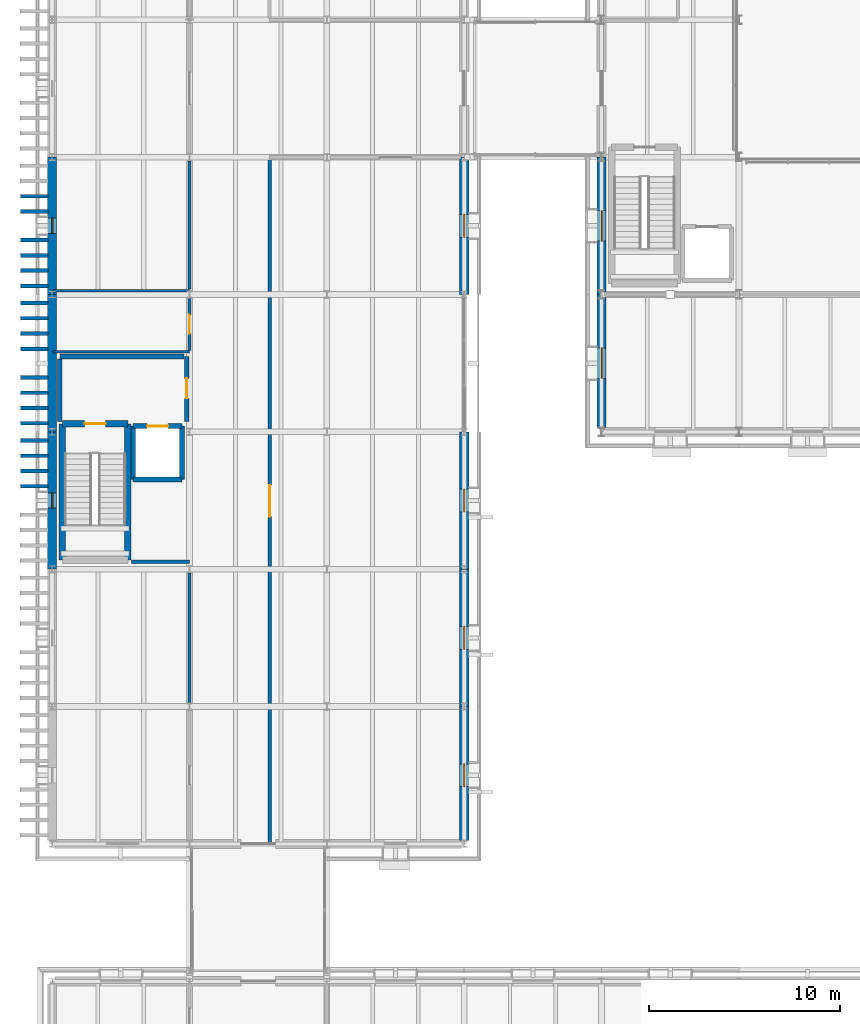
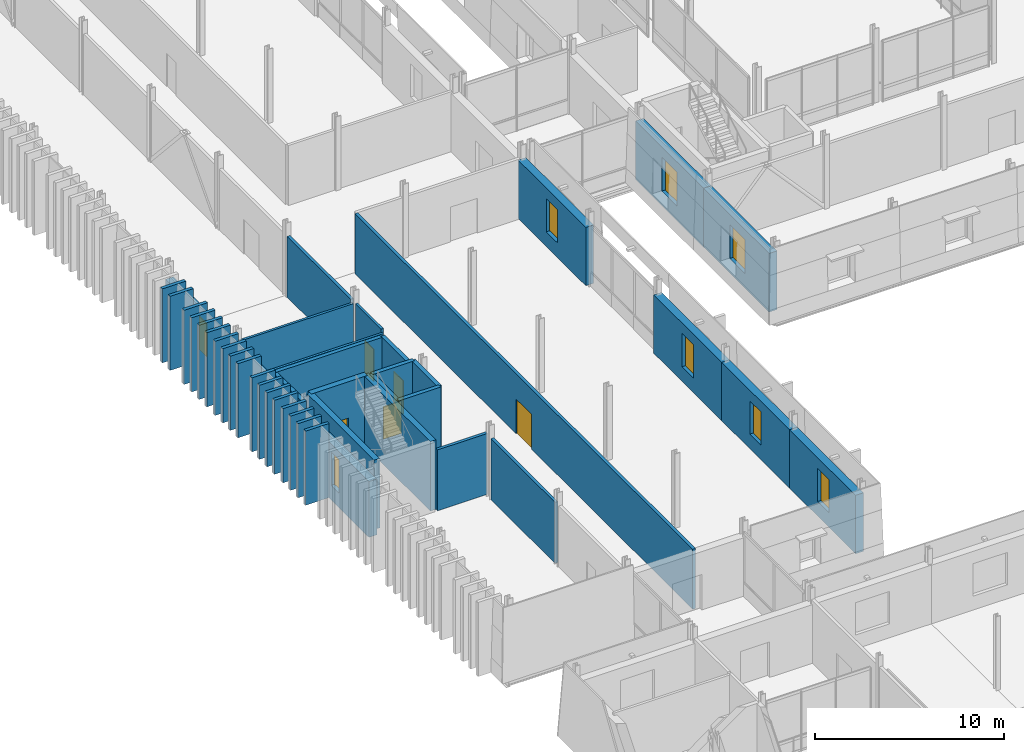
# One storey, part 76 of 121: 44 walls, 8 windows, 5 doors, 13 openings.
"""IFC4 building model written with IfcOpenShell, lengths in metres."""

from ifc_helpers import new_model, si_unit, direction, frame, frame_2d, origin, place, context, subcontext, project, spatial, rectangle, extrude, material, layer, layer_set, type_object, element, fill, save


model = new_model("IFC4")

# Units and contexts
model_context = context("Model", 3, precision=1e-05, world=origin(), true_north=direction((0.0, 1.0)))
body_context = subcontext(model_context, "Body", "Model", "MODEL_VIEW")
ifc_project = project(units=[si_unit("LENGTHUNIT", "METRE"), si_unit("AREAUNIT", "SQUARE_METRE"), si_unit("VOLUMEUNIT", "CUBIC_METRE"), si_unit("PLANEANGLEUNIT", "RADIAN"), si_unit("MASSUNIT", "GRAM", prefix="KILO")], contexts=[model_context])

# Site, building, storey
site_placement = place(None, origin())
site = spatial("IfcSite", under=ifc_project, at=site_placement, CompositionType="ELEMENT")
building_placement = place(site_placement, origin())
building = spatial("IfcBuilding", under=site, at=building_placement, Name="Narikvali Park Central Library", CompositionType="ELEMENT")
storey_placement = place(building_placement, frame((0.0, 0.0, 5.39990234375)))
storey = spatial("IfcBuildingStorey", under=building, at=storey_placement, Name="L01", CompositionType="ELEMENT", Elevation=5.39990234375)

# Wall, opening, door
ifc_material_1 = material(Name="Autoclaved Concrete Blockwork C25/30", Category="masonry")
ifc_layer_1 = layer(ifc_material_1, 0.239990234375, Name="Autoclaved Concrete Blockwork C25/30")
ifc_layer_set_1 = layer_set([ifc_layer_1], Name="Autoclaved Concrete Blockwork C25/30")
wall_type_1 = type_object("IfcWallType", Name="Fire Compartment Concrete Block Wall 240", PredefinedType="SOLIDWALL", material=ifc_layer_set_1)
wall_1_placement = place(storey_placement, frame((7.050048828125, 50.949951171875, 0.0), z_axis=(0.0, 0.0, 1.0), x_axis=(0.0, 1.0, 0.0)))
wall_1 = element("IfcWall", 1, at=wall_1_placement, inside=storey, type_object=wall_type_1, Name="C5A L01 Firefighting Lobby Wall E", PredefinedType="SOLIDWALL", context=body_context, shape_type="SweptSolid", body=[
    extrude(rectangle(XDim=3.400146484375, YDim=0.239990234375, at=frame_2d((1.7001953125, 0.0))), origin(), (0.0, 0.0, 1.0), 3.760009765625),
])
opening_1_placement = place(wall_1_placement, frame((1.199951171875, 0.0, 0.0)))
opening_1 = element("IfcOpeningElement", 2, at=opening_1_placement, cuts=wall_1, Name="Opening FF-041", PredefinedType="OPENING", context=body_context, shape_type="SweptSolid", body=[
    extrude(rectangle(XDim=1.050048828125, YDim=2.14990234375, at=frame_2d((0.52490234375, 1.074951171875))), frame((0.0, 0.1318359375, 0.0), z_axis=(0.0, -1.0, 0.0), x_axis=(1.0, 0.0, 0.0)), (0.0, 0.0, 1.0), 0.263916015625),
])
ifc_material_2 = material(Name="Powder-Coated Steel S275 Fire Leaf", Category="steel")
door_type_1 = type_object("IfcDoorType", Name="Firefighting Lobby Single Fire Door 1050x2150", OperationType="SINGLE_SWING_RIGHT", PredefinedType="DOOR", material=ifc_material_2)
door_1_placement = place(opening_1_placement, frame((1.050048828125, 0.0, 0.0), z_axis=(0.0, 0.0, 1.0), x_axis=(-1.0, 0.0, 0.0)))
door_1 = element("IfcDoor", 3, at=door_1_placement, inside=storey, type_object=door_type_1, Name="FF-01 L01 Firefighting Lobby Corridor Door", OperationType="SINGLE_SWING_RIGHT", OverallHeight=2.14990234375, OverallWidth=1.050048828125, PredefinedType="DOOR", context=body_context, shape_type="SweptSolid", body=[
    extrude(rectangle(XDim=1.050048828125, YDim=2.14990234375, at=frame_2d((0.52490234375, 1.074951171875))), frame((0.0, 0.02490234375, 0.0), z_axis=(0.0, -1.0, 0.0), x_axis=(1.0, 0.0, 0.0)), (0.0, 0.0, 1.0), 0.050048828125),
])
fill(opening_1, door_1)

# Walls
wall_2_placement = place(storey_placement, frame((0.39990234375, 54.35009765625, 0.0), z_axis=(0.0, 0.0, 1.0), x_axis=(1.0, 0.0, 0.0)))
element("IfcWall", 4, at=wall_2_placement, inside=storey, type_object=wall_type_1, Name="C5A L01 Firefighting Lobby Wall N", PredefinedType="SOLIDWALL", context=body_context, shape_type="SweptSolid", body=[
    extrude(rectangle(XDim=6.52001953125, YDim=0.239990234375, at=frame_2d((3.260009765625, 0.0))), origin(), (0.0, 0.0, 1.0), 3.760009765625),
])
wall_3_placement = place(storey_placement, frame((0.39990234375, 50.949951171875, 0.0), z_axis=(0.0, 0.0, 1.0), x_axis=(0.0, 1.0, 0.0)))
element("IfcWall", 5, at=wall_3_placement, inside=storey, type_object=wall_type_1, Name="C5A L01 Firefighting Lobby Wall W", PredefinedType="SOLIDWALL", context=body_context, shape_type="SweptSolid", body=[
    extrude(rectangle(XDim=3.27001953125, YDim=0.239990234375, at=frame_2d((1.635009765625, 0.0))), origin(), (0.0, 0.0, 1.0), 3.760009765625),
])
ifc_material_3 = material(Name="Kiln-Fired Terracotta Red Brick Masonry", Category="masonry")
ifc_layer_2 = layer(ifc_material_3, 0.199951171875, Name="Kiln-Fired Terracotta Red Brick Masonry")
ifc_layer_set_2 = layer_set([ifc_layer_2], Name="Kiln-Fired Terracotta Red Brick Masonry")
wall_type_2 = type_object("IfcWallType", Name="Kiln-Fired Red Brick Vertical Fin Wall 200", PredefinedType="SOLIDWALL", material=ifc_layer_set_2)
for number, where, z_axis, x_axis, name in (
    (6, (-1.659912109375, 47.550048828125, 0.0), (0.0, 0.0, 1.0), (1.0, 0.0, 0.0), "West Stacks Red Brick Vertical Fin Pier 098"),
    (7, (-1.659912109375, 48.35009765625, 0.0), (0.0, 0.0, 1.0), (1.0, 0.0, 0.0), "West Stacks Red Brick Vertical Fin Pier 104"),
    (8, (-1.659912109375, 49.14990234375, 0.0), (0.0, 0.0, 1.0), (1.0, 0.0, 0.0), "West Stacks Red Brick Vertical Fin Pier 110"),
    (9, (-1.659912109375, 49.949951171875, 0.0), (0.0, 0.0, 1.0), (1.0, 0.0, 0.0), "West Stacks Red Brick Vertical Fin Pier 116"),
    (10, (-1.659912109375, 50.85009765625, 0.0), (0.0, 0.0, 1.0), (1.0, 0.0, 0.0), "West Stacks Red Brick Vertical Fin Pier 122"),
    (11, (-1.659912109375, 51.64990234375, 0.0), (0.0, 0.0, 1.0), (1.0, 0.0, 0.0), "West Stacks Red Brick Vertical Fin Pier 128"),
    (12, (-1.659912109375, 52.449951171875, 0.0), (0.0, 0.0, 1.0), (1.0, 0.0, 0.0), "West Stacks Red Brick Vertical Fin Pier 134"),
    (13, (-1.659912109375, 53.25, 0.0), (0.0, 0.0, 1.0), (1.0, 0.0, 0.0), "West Stacks Red Brick Vertical Fin Pier 140"),
    (14, (-1.659912109375, 54.75, 0.0), (0.0, 0.0, 1.0), (1.0, 0.0, 0.0), "West Stacks Red Brick Vertical Fin Pier 146"),
    (15, (-1.659912109375, 55.550048828125, 0.0), (0.0, 0.0, 1.0), (1.0, 0.0, 0.0), "West Stacks Red Brick Vertical Fin Pier 152"),
    (16, (-1.659912109375, 56.35009765625, 0.0), (0.0, 0.0, 1.0), (1.0, 0.0, 0.0), "West Stacks Red Brick Vertical Fin Pier 158"),
    (17, (-1.659912109375, 57.14990234375, 0.0), (0.0, 0.0, 1.0), (1.0, 0.0, 0.0), "West Stacks Red Brick Vertical Fin Pier 164"),
    (18, (-1.659912109375, 58.050048828125, 0.0), (0.0, 0.0, 1.0), (1.0, 0.0, 0.0), "West Stacks Red Brick Vertical Fin Pier 170"),
    (19, (-1.659912109375, 58.85009765625, 0.0), (0.0, 0.0, 1.0), (1.0, 0.0, 0.0), "West Stacks Red Brick Vertical Fin Pier 176"),
    (20, (-1.659912109375, 59.64990234375, 0.0), (0.0, 0.0, 1.0), (1.0, 0.0, 0.0), "West Stacks Red Brick Vertical Fin Pier 182"),
    (21, (-1.659912109375, 60.449951171875, 0.0), (0.0, 0.0, 1.0), (1.0, 0.0, 0.0), "West Stacks Red Brick Vertical Fin Pier 188"),
    (22, (-1.659912109375, 61.949951171875, 0.0), (0.0, 0.0, 1.0), (1.0, 0.0, 0.0), "West Stacks Red Brick Vertical Fin Pier 194"),
    (23, (-1.659912109375, 62.75, 0.0), (0.0, 0.0, 1.0), (1.0, 0.0, 0.0), "West Stacks Red Brick Vertical Fin Pier 200"),
):
    element("IfcWall", number, at=place(storey_placement, frame(where, z_axis=z_axis, x_axis=x_axis)), inside=storey, type_object=wall_type_2, Name=name, PredefinedType="SOLIDWALL", context=body_context, shape_type="SweptSolid", body=[
        extrude(rectangle(XDim=1.43994140625, YDim=0.199951171875, at=frame_2d((0.719970703125, 0.0))), origin(), (0.0, 0.0, 1.0), 4.800048828125),
    ])
ifc_material_4 = material(Name="Moisture-Resistant Cement Board on Steel Studs", Category="steel")
ifc_layer_3 = layer(ifc_material_4, 0.14990234375, Name="Moisture-Resistant Cement Board on Steel Studs")
ifc_layer_set_3 = layer_set([ifc_layer_3], Name="Moisture-Resistant Cement Board on Steel Studs")
wall_type_3 = type_object("IfcWallType", Name="Moisture-Resistant WC Partition 150", PredefinedType="PARTITIONING", material=ifc_layer_set_3)
for number, where, z_axis, x_axis, name in (
    (24, (0.054931640625, 54.60009765625, 0.0), (0.0, 0.0, 1.0), (1.0, 0.0, 0.0), "Stacks Wing Accessible WC L01 Partition S"),
    (25, (0.054931640625, 57.800048828125, 0.0), (0.0, 0.0, 1.0), (1.0, 0.0, 0.0), "Stacks Wing Accessible WC L01 Partition N"),
):
    element("IfcWall", number, at=place(storey_placement, frame(where, z_axis=z_axis, x_axis=x_axis)), inside=storey, type_object=wall_type_3, Name=name, PredefinedType="PARTITIONING", context=body_context, shape_type="SweptSolid", body=[
        extrude(rectangle(XDim=7.14501953125, YDim=0.14990234375, at=frame_2d((3.572509765625, 0.0))), origin(), (0.0, 0.0, 1.0), 3.732177734375),
    ])

# Wall, opening, door
wall_4_placement = place(storey_placement, frame((7.199951171875, 54.677001953125, 0.0), z_axis=(0.0, 0.0, 1.0), x_axis=(0.0, 1.0, 0.0)))
wall_4 = element("IfcWall", 26, at=wall_4_placement, inside=storey, type_object=wall_type_3, Name="Stacks Wing Accessible WC L01 Partition E", PredefinedType="PARTITIONING", context=body_context, shape_type="SweptSolid", body=[
    extrude(rectangle(XDim=2.73046875, YDim=0.14990234375, at=frame_2d((1.365234375, 0.0))), origin(), (0.0, 0.0, 1.0), 3.945068359375),
])
opening_2_placement = place(wall_4_placement, frame((0.875244140625, 0.0, 0.0)))
opening_2 = element("IfcOpeningElement", 27, at=opening_2_placement, cuts=wall_4, Name="Opening ID-0019", PredefinedType="OPENING", context=body_context, shape_type="SweptSolid", body=[
    extrude(rectangle(XDim=0.97998046875, YDim=2.10009765625, at=frame_2d((0.489990234375, 1.050048828125))), frame((0.0, 0.0869140625, 0.0), z_axis=(0.0, -1.0, 0.0), x_axis=(1.0, 0.0, 0.0)), (0.0, 0.0, 1.0), 0.173828125),
])
ifc_material_5 = material(Name="Laminate Faced Hardwood Core", Category="wood")
door_type_2 = type_object("IfcDoorType", Name="Accessible WC Outward-Opening Door 980x2100", OperationType="SINGLE_SWING_RIGHT", PredefinedType="DOOR", material=ifc_material_5)
door_2_placement = place(opening_2_placement, frame((0.97998046875, 0.0, 0.0), z_axis=(0.0, 0.0, 1.0), x_axis=(-1.0, 0.0, 0.0)))
door_2 = element("IfcDoor", 28, at=door_2_placement, inside=storey, type_object=door_type_2, Name="Stacks Wing Accessible WC L01 Door ID-0019", OperationType="SINGLE_SWING_LEFT", OverallHeight=2.10009765625, OverallWidth=0.97998046875, PredefinedType="DOOR", context=body_context, shape_type="SweptSolid", body=[
    extrude(rectangle(XDim=0.97998046875, YDim=2.10009765625, at=frame_2d((0.489990234375, 1.050048828125))), frame((0.0, 0.02490234375, 0.0), z_axis=(0.0, -1.0, 0.0), x_axis=(1.0, 0.0, 0.0)), (0.0, 0.0, 1.0), 0.050048828125),
])
fill(opening_2, door_2)

# Walls
ifc_material_6 = material(Name="Acoustic Gypsum on Steel Studs", Category="steel")
ifc_layer_4 = layer(ifc_material_6, 0.179931640625, Name="Acoustic Gypsum on Steel Studs")
ifc_layer_set_4 = layer_set([ifc_layer_4], Name="Acoustic Gypsum on Steel Studs")
wall_type_4 = type_object("IfcWallType", Name="Reading Room Acoustic Partition 180", PredefinedType="PARTITIONING", material=ifc_layer_set_4)
wall_5_placement = place(storey_placement, frame((4.14697265625, 43.60009765625, 0.0), z_axis=(0.0, 0.0, 1.0), x_axis=(1.0, 0.0, 0.0)))
element("IfcWall", 29, at=wall_5_placement, inside=storey, type_object=wall_type_4, Name="Acquisitions and Cataloguing Office L01 Partition N", PredefinedType="PARTITIONING", context=body_context, shape_type="SweptSolid", body=[
    extrude(rectangle(XDim=3.052978515625, YDim=0.179931640625, at=frame_2d((1.5263671875, 0.0))), origin(), (0.0, 0.0, 1.0), 3.945068359375),
])
wall_6_placement = place(storey_placement, frame((7.199951171875, 36.1923828125, 0.0), z_axis=(0.0, 0.0, 1.0), x_axis=(0.0, 1.0, 0.0)))
element("IfcWall", 30, at=wall_6_placement, inside=storey, type_object=wall_type_4, Name="Acquisitions and Cataloguing Office L01 Partition E", PredefinedType="PARTITIONING", context=body_context, shape_type="SweptSolid", body=[
    extrude(rectangle(XDim=6.815185546875, YDim=0.179931640625, at=frame_2d((3.40771484375, 0.0))), origin(), (0.0, 0.0, 1.0), 3.945068359375),
])

# Wall, opening, door
wall_7_placement = place(storey_placement, frame((11.39990234375, 28.85498046875, 0.0), z_axis=(0.0, 0.0, 1.0), x_axis=(0.0, 1.0, 0.0)))
wall_7 = element("IfcWall", 31, at=wall_7_placement, inside=storey, type_object=wall_type_4, Name="General Collection Open Book Stacks L01 Partition W", PredefinedType="PARTITIONING", context=body_context, shape_type="SweptSolid", body=[
    extrude(rectangle(XDim=35.85302734375, YDim=0.179931640625, at=frame_2d((17.926513671875, 0.0))), origin(), (0.0, 0.0, 1.0), 3.885009765625),
])
opening_3_placement = place(wall_7_placement, frame((17.1015625, 0.0, 0.0)))
opening_3 = element("IfcOpeningElement", 32, at=opening_3_placement, cuts=wall_7, Name="Opening ID-0119", PredefinedType="OPENING", context=body_context, shape_type="SweptSolid", body=[
    extrude(rectangle(XDim=1.64990234375, YDim=2.25, at=frame_2d((0.824951171875, 1.125))), frame((0.0, 0.10205078125, 0.0), z_axis=(0.0, -1.0, 0.0), x_axis=(1.0, 0.0, 0.0)), (0.0, 0.0, 1.0), 0.203857421875),
])
ifc_material_7 = material(Name="Caucasian Oak and Tempered Glass", Category="glass")
door_type_3 = type_object("IfcDoorType", Name="Open Stacks Double Glazed Door 1650x2250", OperationType="DOUBLE_DOOR_SINGLE_SWING", PredefinedType="DOOR", material=ifc_material_7)
door_3_placement = place(opening_3_placement, frame((1.64990234375, 0.0, 0.0), z_axis=(0.0, 0.0, 1.0), x_axis=(-1.0, 0.0, 0.0)))
door_3 = element("IfcDoor", 33, at=door_3_placement, inside=storey, type_object=door_type_3, Name="General Collection Open Book Stacks L01 Door ID-0119", OperationType="DOUBLE_DOOR_SINGLE_SWING", OverallHeight=2.25, OverallWidth=1.64990234375, PredefinedType="DOOR", context=body_context, shape_type="SweptSolid", body=[
    extrude(rectangle(XDim=1.64990234375, YDim=2.25, at=frame_2d((0.824951171875, 1.125))), frame((0.0, 0.02490234375, 0.0), z_axis=(0.0, -1.0, 0.0), x_axis=(1.0, 0.0, 0.0)), (0.0, 0.0, 1.0), 0.050048828125),
])
fill(opening_3, door_3)

# Walls
wall_8_placement = place(storey_placement, frame((7.199951171875, 57.876953125, 0.0), z_axis=(0.0, 0.0, 1.0), x_axis=(0.0, 1.0, 0.0)))
element("IfcWall", 34, at=wall_8_placement, inside=storey, type_object=wall_type_4, Name="Caucasus History Open Stacks L01 Partition E", PredefinedType="PARTITIONING", context=body_context, shape_type="SweptSolid", body=[
    extrude(rectangle(XDim=6.73046875, YDim=0.179931640625, at=frame_2d((3.365234375, 0.0))), origin(), (0.0, 0.0, 1.0), 3.945068359375),
])
ifc_material_8 = material(Name="Concrete C40/50", Category="concrete")
ifc_layer_5 = layer(ifc_material_8, 0.35009765625, Name="Concrete C40/50")
ifc_layer_set_5 = layer_set([ifc_layer_5], Name="Concrete C40/50")
wall_type_5 = type_object("IfcWallType", Name="Reinforced Concrete Core Shear Wall 350", PredefinedType="SHEAR", material=ifc_layer_set_5)
wall_9_placement = place(storey_placement, frame((3.969970703125, 43.679931640625, 0.0), z_axis=(0.0, 0.0, 1.0), x_axis=(0.0, 1.0, 0.0)))
element("IfcWall", 35, at=wall_9_placement, inside=storey, type_object=wall_type_5, Name="C5A L01 Stair Core Shear Wall E", PredefinedType="SHEAR", context=body_context, shape_type="SweptSolid", body=[
    extrude(rectangle(XDim=7.14013671875, YDim=0.35009765625, at=frame_2d((3.570068359375, 0.0))), origin(), (0.0, 0.0, 1.0), 4.5),
])

# Wall, opening, door
wall_10_placement = place(storey_placement, frame((3.969970703125, 50.820068359375, 0.0), z_axis=(0.0, 0.0, 1.0), x_axis=(-1.0, 0.0, 0.0)))
wall_10 = element("IfcWall", 36, at=wall_10_placement, inside=storey, type_object=wall_type_5, Name="C5A L01 Stair Core Shear Wall N", PredefinedType="SHEAR", context=body_context, shape_type="SweptSolid", body=[
    extrude(rectangle(XDim=3.43994140625, YDim=0.35009765625, at=frame_2d((1.719970703125, 0.0))), origin(), (0.0, 0.0, 1.0), 4.5),
])
opening_4_placement = place(wall_10_placement, frame((1.169921875, 0.0, 0.0)))
opening_4 = element("IfcOpeningElement", 37, at=opening_4_placement, cuts=wall_10, Name="Opening SD-040", PredefinedType="OPENING", context=body_context, shape_type="SweptSolid", body=[
    extrude(rectangle(XDim=1.10009765625, YDim=2.14990234375, at=frame_2d((0.550048828125, 1.074951171875))), frame((0.0, 0.18701171875, 0.0), z_axis=(0.0, -1.0, 0.0), x_axis=(1.0, 0.0, 0.0)), (0.0, 0.0, 1.0), 0.3740234375),
])
door_type_4 = type_object("IfcDoorType", Name="Stair Core Smoke-Control Fire Door 1100x2150", OperationType="SINGLE_SWING_LEFT", PredefinedType="DOOR", material=ifc_material_2)
door_4_placement = place(opening_4_placement, frame((1.10009765625, 0.0, 0.0), z_axis=(0.0, 0.0, 1.0), x_axis=(-1.0, 0.0, 0.0)))
door_4 = element("IfcDoor", 38, at=door_4_placement, inside=storey, type_object=door_type_4, Name="ST-09 L01 Stair Exit Door SD-040", OperationType="SINGLE_SWING_RIGHT", OverallHeight=2.14990234375, OverallWidth=1.10009765625, PredefinedType="DOOR", context=body_context, shape_type="SweptSolid", body=[
    extrude(rectangle(XDim=1.10009765625, YDim=2.14990234375, at=frame_2d((0.550048828125, 1.074951171875))), frame((0.0, 0.02490234375, 0.0), z_axis=(0.0, -1.0, 0.0), x_axis=(1.0, 0.0, 0.0)), (0.0, 0.0, 1.0), 0.050048828125),
])
fill(opening_4, door_4)

# Walls
wall_11_placement = place(storey_placement, frame((0.530029296875, 50.820068359375, 0.0), z_axis=(0.0, 0.0, 1.0), x_axis=(0.0, -1.0, 0.0)))
element("IfcWall", 39, at=wall_11_placement, inside=storey, type_object=wall_type_5, Name="C5A L01 Stair Core Shear Wall W", PredefinedType="SHEAR", context=body_context, shape_type="SweptSolid", body=[
    extrude(rectangle(XDim=7.14013671875, YDim=0.35009765625, at=frame_2d((3.570068359375, 0.0))), origin(), (0.0, 0.0, 1.0), 4.5),
])
ifc_layer_6 = layer(ifc_material_8, 0.25, Name="Concrete C40/50")
ifc_layer_set_6 = layer_set([ifc_layer_6], Name="Concrete C40/50")
wall_type_6 = type_object("IfcWallType", Name="Reinforced Concrete Lift Shaft Wall 250", PredefinedType="SHEAR", material=ifc_layer_set_6)
wall_12_placement = place(storey_placement, frame((4.25, 47.89990234375, 0.0), z_axis=(0.0, 0.0, 1.0), x_axis=(1.0, 0.0, 0.0)))
element("IfcWall", 40, at=wall_12_placement, inside=storey, type_object=wall_type_6, Name="FF-01 L01 Lift Shaft Wall S", PredefinedType="SHEAR", context=body_context, shape_type="SweptSolid", body=[
    extrude(rectangle(XDim=2.550048828125, YDim=0.25, at=frame_2d((1.27490234375, 0.0))), origin(), (0.0, 0.0, 1.0), 4.5),
])
wall_13_placement = place(storey_placement, frame((6.800048828125, 47.89990234375, 0.0), z_axis=(0.0, 0.0, 1.0), x_axis=(0.0, 1.0, 0.0)))
element("IfcWall", 41, at=wall_13_placement, inside=storey, type_object=wall_type_6, Name="FF-01 L01 Lift Shaft Wall E", PredefinedType="SHEAR", context=body_context, shape_type="SweptSolid", body=[
    extrude(rectangle(XDim=2.800048828125, YDim=0.25, at=frame_2d((1.39990234375, 0.0))), origin(), (0.0, 0.0, 1.0), 4.5),
])

# Wall, opening, door
wall_14_placement = place(storey_placement, frame((6.800048828125, 50.699951171875, 0.0), z_axis=(0.0, 0.0, 1.0), x_axis=(-1.0, 0.0, 0.0)))
wall_14 = element("IfcWall", 42, at=wall_14_placement, inside=storey, type_object=wall_type_6, Name="FF-01 L01 Lift Shaft Wall N", PredefinedType="SHEAR", context=body_context, shape_type="SweptSolid", body=[
    extrude(rectangle(XDim=2.550048828125, YDim=0.25, at=frame_2d((1.27490234375, 0.0))), origin(), (0.0, 0.0, 1.0), 4.5),
])
opening_5_placement = place(wall_14_placement, frame((0.72509765625, 0.0, 0.0)))
opening_5 = element("IfcOpeningElement", 43, at=opening_5_placement, cuts=wall_14, Name="Opening LD-036", PredefinedType="OPENING", context=body_context, shape_type="SweptSolid", body=[
    extrude(rectangle(XDim=1.10009765625, YDim=2.10009765625, at=frame_2d((0.550048828125, 1.050048828125))), frame((0.0, 0.136962890625, 0.0), z_axis=(0.0, -1.0, 0.0), x_axis=(1.0, 0.0, 0.0)), (0.0, 0.0, 1.0), 0.27392578125),
])
ifc_material_9 = material(Name="Brushed Stainless Steel S355", Category="steel")
door_type_5 = type_object("IfcDoorType", Name="Firefighting Lift Sliding Landing Door 1100x2100", OperationType="SLIDING_TO_RIGHT", PredefinedType="DOOR", material=ifc_material_9)
door_5_placement = place(opening_5_placement, origin())
door_5 = element("IfcDoor", 44, at=door_5_placement, inside=storey, type_object=door_type_5, Name="FF-01 L01 Lift Landing Sliding Door LD-036", OperationType="SLIDING_TO_RIGHT", OverallHeight=2.10009765625, OverallWidth=1.10009765625, PredefinedType="DOOR", context=body_context, shape_type="SweptSolid", body=[
    extrude(rectangle(XDim=1.10009765625, YDim=2.10009765625, at=frame_2d((0.550048828125, 1.050048828125))), frame((0.0, 0.02490234375, 0.0), z_axis=(0.0, -1.0, 0.0), x_axis=(1.0, 0.0, 0.0)), (0.0, 0.0, 1.0), 0.050048828125),
])
fill(opening_5, door_5)

# Wall
wall_15_placement = place(storey_placement, frame((4.25, 50.699951171875, 0.0), z_axis=(0.0, 0.0, 1.0), x_axis=(0.0, -1.0, 0.0)))
element("IfcWall", 45, at=wall_15_placement, inside=storey, type_object=wall_type_6, Name="FF-01 L01 Lift Shaft Wall W", PredefinedType="SHEAR", context=body_context, shape_type="SweptSolid", body=[
    extrude(rectangle(XDim=2.800048828125, YDim=0.25, at=frame_2d((1.39990234375, 0.0))), origin(), (0.0, 0.0, 1.0), 4.5),
])

# Wall, opening, window
ifc_material_10 = material(Name="White Honed Limestone over Concrete C35/45", Category="masonry")
ifc_layer_7 = layer(ifc_material_10, 0.47998046875, Name="White Honed Limestone over Concrete C35/45")
ifc_layer_set_7 = layer_set([ifc_layer_7], Name="White Honed Limestone over Concrete C35/45")
wall_type_7 = type_object("IfcWallType", Name="White Limestone Battered Tier1 Wall 480", PredefinedType="SOLIDWALL", material=ifc_layer_set_7)
wall_16_placement = place(storey_placement, frame((28.800048828125, 64.800048828125, 0.0), z_axis=(0.0, 0.0, 1.0), x_axis=(0.0, -1.0, 0.0)))
wall_16 = element("IfcWall", 46, at=wall_16_placement, inside=storey, type_object=wall_type_7, Name="V4 L01 W Exterior Limestone Wall B08", PredefinedType="SOLIDWALL", context=body_context, shape_type="SweptSolid", body=[
    extrude(rectangle(XDim=7.199951171875, YDim=0.47998046875, at=frame_2d((3.60009765625, 0.0))), origin(), (0.0, 0.0, 1.0), 3.800048828125),
])
opening_6_placement = place(wall_16_placement, frame((2.800048828125, 0.0, 0.949951171875)))
opening_6 = element("IfcOpeningElement", 47, at=opening_6_placement, cuts=wall_16, Name="Opening WIN-0162", PredefinedType="OPENING", context=body_context, shape_type="SweptSolid", body=[
    extrude(rectangle(XDim=1.60009765625, YDim=2.199951171875, at=frame_2d((0.800048828125, 1.10009765625))), frame((0.0, 0.251953125, 0.0), z_axis=(0.0, -1.0, 0.0), x_axis=(1.0, 0.0, 0.0)), (0.0, 0.0, 1.0), 0.50390625),
])
ifc_material_11 = material(Name="Anodised Bronze Aluminium and Low-E Triple Glazing", Category="aluminium")
window_type_1 = type_object("IfcWindowType", Name="Atrium Reading Wing Classical Window 1600x2200", PartitioningType="DOUBLE_PANEL_VERTICAL", PredefinedType="WINDOW", material=ifc_material_11)
window_1_placement = place(opening_6_placement, origin())
window_1 = element("IfcWindow", 48, at=window_1_placement, inside=storey, type_object=window_type_1, Name="V4 L01 W Deep-Reveal Window WIN-0162", OverallHeight=2.199951171875, OverallWidth=1.60009765625, PartitioningType="SINGLE_PANEL", PredefinedType="WINDOW", context=body_context, shape_type="SweptSolid", body=[
    extrude(rectangle(XDim=1.60009765625, YDim=2.199951171875, at=frame_2d((0.800048828125, 1.10009765625))), frame((0.0, 0.030029296875, 0.0), z_axis=(0.0, -1.0, 0.0), x_axis=(1.0, 0.0, 0.0)), (0.0, 0.0, 1.0), 0.06005859375),
])
fill(opening_6, window_1)

wall_17_placement = place(storey_placement, frame((28.800048828125, 57.60009765625, 0.0), z_axis=(0.0, 0.0, 1.0), x_axis=(0.0, -1.0, 0.0)))
wall_17 = element("IfcWall", 49, at=wall_17_placement, inside=storey, type_object=wall_type_7, Name="V4 L01 W Exterior Limestone Wall B09", PredefinedType="SOLIDWALL", context=body_context, shape_type="SweptSolid", body=[
    extrude(rectangle(XDim=6.97119140625, YDim=0.47998046875, at=frame_2d((3.485595703125, 0.0))), origin(), (0.0, 0.0, 1.0), 3.800048828125),
])
opening_7_placement = place(wall_17_placement, frame((2.800048828125, 0.0, 0.949951171875)))
opening_7 = element("IfcOpeningElement", 50, at=opening_7_placement, cuts=wall_17, Name="Opening WIN-0163", PredefinedType="OPENING", context=body_context, shape_type="SweptSolid", body=[
    extrude(rectangle(XDim=1.60009765625, YDim=2.199951171875, at=frame_2d((0.800048828125, 1.10009765625))), frame((0.0, 0.251953125, 0.0), z_axis=(0.0, -1.0, 0.0), x_axis=(1.0, 0.0, 0.0)), (0.0, 0.0, 1.0), 0.50390625),
])
window_2_placement = place(opening_7_placement, origin())
window_2 = element("IfcWindow", 51, at=window_2_placement, inside=storey, type_object=window_type_1, Name="V4 L01 W Deep-Reveal Window WIN-0163", OverallHeight=2.199951171875, OverallWidth=1.60009765625, PartitioningType="SINGLE_PANEL", PredefinedType="WINDOW", context=body_context, shape_type="SweptSolid", body=[
    extrude(rectangle(XDim=1.60009765625, YDim=2.199951171875, at=frame_2d((0.800048828125, 1.10009765625))), frame((0.0, 0.030029296875, 0.0), z_axis=(0.0, -1.0, 0.0), x_axis=(1.0, 0.0, 0.0)), (0.0, 0.0, 1.0), 0.06005859375),
])
fill(opening_7, window_2)

wall_18_placement = place(storey_placement, frame((21.60009765625, 28.9833984375, 0.0), z_axis=(0.0, 0.0, 1.0), x_axis=(0.0, 1.0, 0.0)))
wall_18 = element("IfcWall", 52, at=wall_18_placement, inside=storey, type_object=wall_type_7, Name="V5 L01 E Exterior Limestone Wall B01", PredefinedType="SOLIDWALL", context=body_context, shape_type="SweptSolid", body=[
    extrude(rectangle(XDim=7.0166015625, YDim=0.47998046875, at=frame_2d((3.50830078125, 0.0))), origin(), (0.0, 0.0, 1.0), 3.780029296875),
])
opening_8_placement = place(wall_18_placement, frame((2.81640625, 0.0, 0.949951171875)))
opening_8 = element("IfcOpeningElement", 53, at=opening_8_placement, cuts=wall_18, Name="Opening WIN-0243", PredefinedType="OPENING", context=body_context, shape_type="SweptSolid", body=[
    extrude(rectangle(XDim=1.199951171875, YDim=2.14990234375, at=frame_2d((0.60009765625, 1.074951171875))), frame((0.0, 0.251953125, 0.0), z_axis=(0.0, -1.0, 0.0), x_axis=(1.0, 0.0, 0.0)), (0.0, 0.0, 1.0), 0.50390625),
])
window_type_2 = type_object("IfcWindowType", Name="Stacks Archive Deep-Reveal Punched Window 1200x2150", PartitioningType="SINGLE_PANEL", PredefinedType="WINDOW", material=ifc_material_11)
window_3_placement = place(opening_8_placement, origin())
window_3 = element("IfcWindow", 54, at=window_3_placement, inside=storey, type_object=window_type_2, Name="V5 L01 E Deep-Reveal Window WIN-0243", OverallHeight=2.14990234375, OverallWidth=1.199951171875, PartitioningType="SINGLE_PANEL", PredefinedType="WINDOW", context=body_context, shape_type="SweptSolid", body=[
    extrude(rectangle(XDim=1.199951171875, YDim=2.14990234375, at=frame_2d((0.60009765625, 1.074951171875))), frame((0.0, 0.030029296875, 0.0), z_axis=(0.0, -1.0, 0.0), x_axis=(1.0, 0.0, 0.0)), (0.0, 0.0, 1.0), 0.06005859375),
])
fill(opening_8, window_3)

wall_19_placement = place(storey_placement, frame((21.60009765625, 36.0, 0.0), z_axis=(0.0, 0.0, 1.0), x_axis=(0.0, 1.0, 0.0)))
wall_19 = element("IfcWall", 55, at=wall_19_placement, inside=storey, type_object=wall_type_7, Name="V5 L01 E Exterior Limestone Wall B02", PredefinedType="SOLIDWALL", context=body_context, shape_type="SweptSolid", body=[
    extrude(rectangle(XDim=7.199951171875, YDim=0.47998046875, at=frame_2d((3.60009765625, 0.0))), origin(), (0.0, 0.0, 1.0), 3.780029296875),
])
opening_9_placement = place(wall_19_placement, frame((3.0, 0.0, 0.949951171875)))
opening_9 = element("IfcOpeningElement", 56, at=opening_9_placement, cuts=wall_19, Name="Opening WIN-0244", PredefinedType="OPENING", context=body_context, shape_type="SweptSolid", body=[
    extrude(rectangle(XDim=1.199951171875, YDim=2.14990234375, at=frame_2d((0.60009765625, 1.074951171875))), frame((0.0, 0.251953125, 0.0), z_axis=(0.0, -1.0, 0.0), x_axis=(1.0, 0.0, 0.0)), (0.0, 0.0, 1.0), 0.50390625),
])
window_4_placement = place(opening_9_placement, origin())
window_4 = element("IfcWindow", 57, at=window_4_placement, inside=storey, type_object=window_type_2, Name="V5 L01 E Deep-Reveal Window WIN-0244", OverallHeight=2.14990234375, OverallWidth=1.199951171875, PartitioningType="SINGLE_PANEL", PredefinedType="WINDOW", context=body_context, shape_type="SweptSolid", body=[
    extrude(rectangle(XDim=1.199951171875, YDim=2.14990234375, at=frame_2d((0.60009765625, 1.074951171875))), frame((0.0, 0.030029296875, 0.0), z_axis=(0.0, -1.0, 0.0), x_axis=(1.0, 0.0, 0.0)), (0.0, 0.0, 1.0), 0.06005859375),
])
fill(opening_9, window_4)

wall_20_placement = place(storey_placement, frame((21.60009765625, 43.199951171875, 0.0), z_axis=(0.0, 0.0, 1.0), x_axis=(0.0, 1.0, 0.0)))
wall_20 = element("IfcWall", 58, at=wall_20_placement, inside=storey, type_object=wall_type_7, Name="V5 L01 E Exterior Limestone Wall B03", PredefinedType="SOLIDWALL", context=body_context, shape_type="SweptSolid", body=[
    extrude(rectangle(XDim=7.199951171875, YDim=0.47998046875, at=frame_2d((3.60009765625, 0.0))), origin(), (0.0, 0.0, 1.0), 3.780029296875),
])
opening_10_placement = place(wall_20_placement, frame((3.0, 0.0, 0.949951171875)))
opening_10 = element("IfcOpeningElement", 59, at=opening_10_placement, cuts=wall_20, Name="Opening WIN-0245", PredefinedType="OPENING", context=body_context, shape_type="SweptSolid", body=[
    extrude(rectangle(XDim=1.199951171875, YDim=2.14990234375, at=frame_2d((0.60009765625, 1.074951171875))), frame((0.0, 0.251953125, 0.0), z_axis=(0.0, -1.0, 0.0), x_axis=(1.0, 0.0, 0.0)), (0.0, 0.0, 1.0), 0.50390625),
])
window_5_placement = place(opening_10_placement, origin())
window_5 = element("IfcWindow", 60, at=window_5_placement, inside=storey, type_object=window_type_2, Name="V5 L01 E Deep-Reveal Window WIN-0245", OverallHeight=2.14990234375, OverallWidth=1.199951171875, PartitioningType="SINGLE_PANEL", PredefinedType="WINDOW", context=body_context, shape_type="SweptSolid", body=[
    extrude(rectangle(XDim=1.199951171875, YDim=2.14990234375, at=frame_2d((0.60009765625, 1.074951171875))), frame((0.0, 0.030029296875, 0.0), z_axis=(0.0, -1.0, 0.0), x_axis=(1.0, 0.0, 0.0)), (0.0, 0.0, 1.0), 0.06005859375),
])
fill(opening_10, window_5)

wall_21_placement = place(storey_placement, frame((21.60009765625, 57.60009765625, 0.0), z_axis=(0.0, 0.0, 1.0), x_axis=(0.0, 1.0, 0.0)))
wall_21 = element("IfcWall", 61, at=wall_21_placement, inside=storey, type_object=wall_type_7, Name="V5 L01 E Exterior Limestone Wall B05", PredefinedType="SOLIDWALL", context=body_context, shape_type="SweptSolid", body=[
    extrude(rectangle(XDim=7.199951171875, YDim=0.47998046875, at=frame_2d((3.60009765625, 0.0))), origin(), (0.0, 0.0, 1.0), 3.780029296875),
])
opening_11_placement = place(wall_21_placement, frame((3.0, 0.0, 0.949951171875)))
opening_11 = element("IfcOpeningElement", 62, at=opening_11_placement, cuts=wall_21, Name="Opening WIN-0246", PredefinedType="OPENING", context=body_context, shape_type="SweptSolid", body=[
    extrude(rectangle(XDim=1.199951171875, YDim=2.14990234375, at=frame_2d((0.60009765625, 1.074951171875))), frame((0.0, 0.251953125, 0.0), z_axis=(0.0, -1.0, 0.0), x_axis=(1.0, 0.0, 0.0)), (0.0, 0.0, 1.0), 0.50390625),
])
window_6_placement = place(opening_11_placement, origin())
window_6 = element("IfcWindow", 63, at=window_6_placement, inside=storey, type_object=window_type_2, Name="V5 L01 E Deep-Reveal Window WIN-0246", OverallHeight=2.14990234375, OverallWidth=1.199951171875, PartitioningType="SINGLE_PANEL", PredefinedType="WINDOW", context=body_context, shape_type="SweptSolid", body=[
    extrude(rectangle(XDim=1.199951171875, YDim=2.14990234375, at=frame_2d((0.60009765625, 1.074951171875))), frame((0.0, 0.030029296875, 0.0), z_axis=(0.0, -1.0, 0.0), x_axis=(1.0, 0.0, 0.0)), (0.0, 0.0, 1.0), 0.06005859375),
])
fill(opening_11, window_6)

wall_22_placement = place(storey_placement, frame((0.0, 64.800048828125, 0.0), z_axis=(0.0, 0.0, 1.0), x_axis=(0.0, -1.0, 0.0)))
wall_22 = element("IfcWall", 64, at=wall_22_placement, inside=storey, type_object=wall_type_7, Name="V5 L01 W Exterior Limestone Wall B07", PredefinedType="SOLIDWALL", context=body_context, shape_type="SweptSolid", body=[
    extrude(rectangle(XDim=7.199951171875, YDim=0.47998046875, at=frame_2d((3.60009765625, 0.0))), origin(), (0.0, 0.0, 1.0), 3.6201171875),
])
opening_12_placement = place(wall_22_placement, frame((3.199951171875, 0.0, 0.949951171875)))
opening_12 = element("IfcOpeningElement", 65, at=opening_12_placement, cuts=wall_22, Name="Opening WIN-0258", PredefinedType="OPENING", context=body_context, shape_type="SweptSolid", body=[
    extrude(rectangle(XDim=0.800048828125, YDim=2.14990234375, at=frame_2d((0.39990234375, 1.074951171875))), frame((0.0, 0.251953125, 0.0), z_axis=(0.0, -1.0, 0.0), x_axis=(1.0, 0.0, 0.0)), (0.0, 0.0, 1.0), 0.50390625),
])
window_type_3 = type_object("IfcWindowType", Name="West Fin-Bay Narrow Carrel Slot Window 800x2150", PartitioningType="SINGLE_PANEL", PredefinedType="WINDOW", material=ifc_material_11)
window_7_placement = place(opening_12_placement, origin())
window_7 = element("IfcWindow", 66, at=window_7_placement, inside=storey, type_object=window_type_3, Name="V5 L01 W Deep-Reveal Window WIN-0258", OverallHeight=2.14990234375, OverallWidth=0.800048828125, PartitioningType="SINGLE_PANEL", PredefinedType="WINDOW", context=body_context, shape_type="SweptSolid", body=[
    extrude(rectangle(XDim=0.800048828125, YDim=2.14990234375, at=frame_2d((0.39990234375, 1.074951171875))), frame((0.0, 0.030029296875, 0.0), z_axis=(0.0, -1.0, 0.0), x_axis=(1.0, 0.0, 0.0)), (0.0, 0.0, 1.0), 0.06005859375),
])
fill(opening_12, window_7)

# Wall
wall_23_placement = place(storey_placement, frame((0.0, 57.60009765625, 0.0), z_axis=(0.0, 0.0, 1.0), x_axis=(0.0, -1.0, 0.0)))
element("IfcWall", 67, at=wall_23_placement, inside=storey, type_object=wall_type_7, Name="V5 L01 W Exterior Limestone Wall B08", PredefinedType="SOLIDWALL", context=body_context, shape_type="SweptSolid", body=[
    extrude(rectangle(XDim=7.2001953125, YDim=0.47998046875, at=frame_2d((3.60009765625, 0.0))), origin(), (0.0, 0.0, 1.0), 3.6201171875),
])

# Wall, opening, window
wall_24_placement = place(storey_placement, frame((0.0, 50.39990234375, 0.0), z_axis=(0.0, 0.0, 1.0), x_axis=(0.0, -1.0, 0.0)))
wall_24 = element("IfcWall", 68, at=wall_24_placement, inside=storey, type_object=wall_type_7, Name="V5 L01 W Exterior Limestone Wall B09", PredefinedType="SOLIDWALL", context=body_context, shape_type="SweptSolid", body=[
    extrude(rectangle(XDim=7.199951171875, YDim=0.47998046875, at=frame_2d((3.60009765625, 0.0))), origin(), (0.0, 0.0, 1.0), 3.6201171875),
])
opening_13_placement = place(wall_24_placement, frame((3.199951171875, 0.0, 0.949951171875)))
opening_13 = element("IfcOpeningElement", 69, at=opening_13_placement, cuts=wall_24, Name="Opening WIN-0259", PredefinedType="OPENING", context=body_context, shape_type="SweptSolid", body=[
    extrude(rectangle(XDim=0.800048828125, YDim=2.14990234375, at=frame_2d((0.39990234375, 1.074951171875))), frame((0.0, 0.251953125, 0.0), z_axis=(0.0, -1.0, 0.0), x_axis=(1.0, 0.0, 0.0)), (0.0, 0.0, 1.0), 0.50390625),
])
window_8_placement = place(opening_13_placement, origin())
window_8 = element("IfcWindow", 70, at=window_8_placement, inside=storey, type_object=window_type_3, Name="V5 L01 W Deep-Reveal Window WIN-0259", OverallHeight=2.14990234375, OverallWidth=0.800048828125, PartitioningType="SINGLE_PANEL", PredefinedType="WINDOW", context=body_context, shape_type="SweptSolid", body=[
    extrude(rectangle(XDim=0.800048828125, YDim=2.14990234375, at=frame_2d((0.39990234375, 1.074951171875))), frame((0.0, 0.030029296875, 0.0), z_axis=(0.0, -1.0, 0.0), x_axis=(1.0, 0.0, 0.0)), (0.0, 0.0, 1.0), 0.06005859375),
])
fill(opening_13, window_8)

save(model, "model.ifc")
